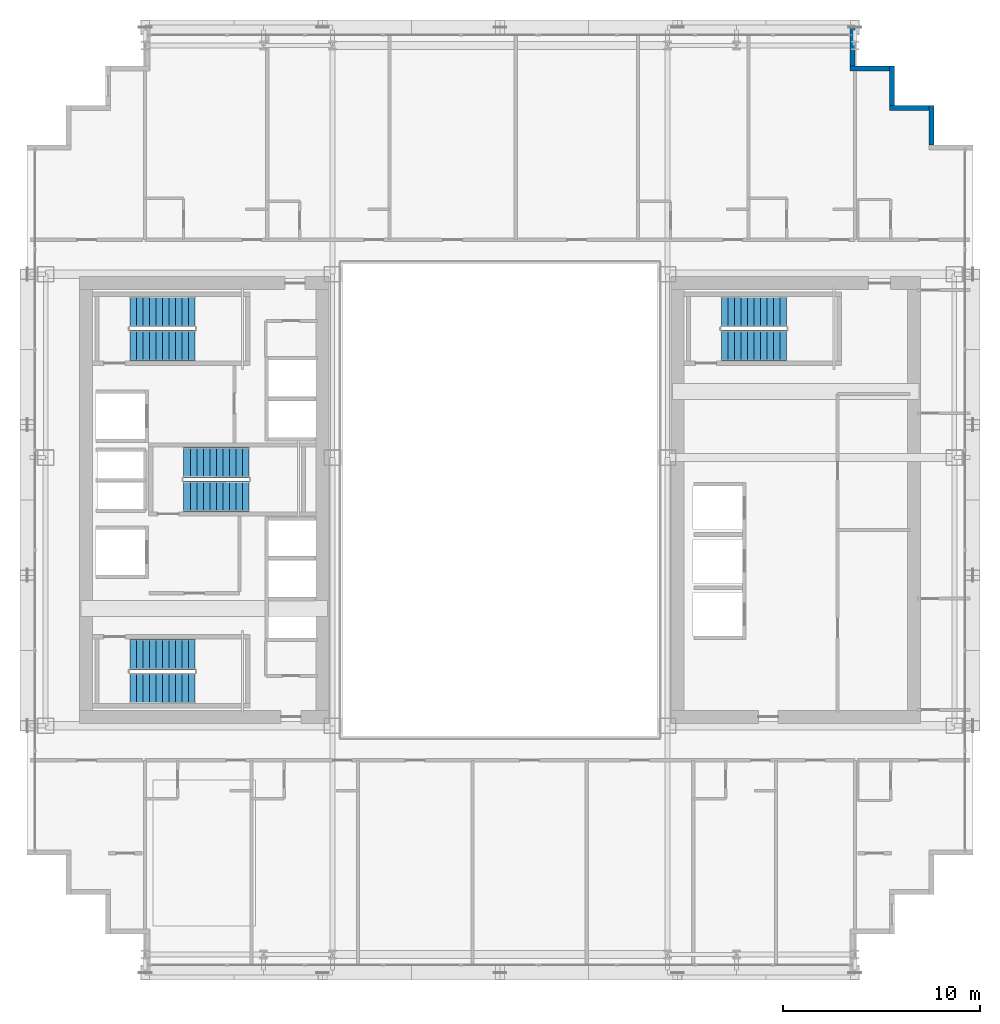
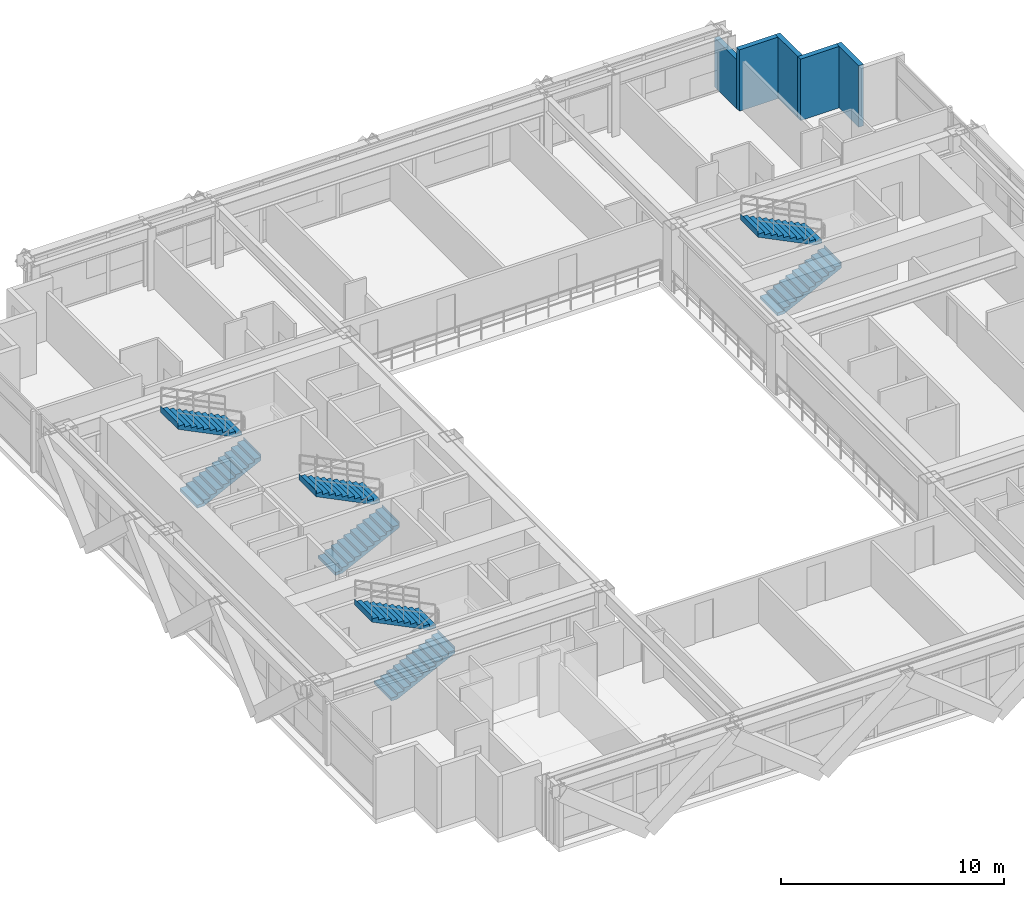
# One storey, part 31 of 35: 8 stair flights, 5 walls, 4 elements without a shape of their own.
"""IFC4 building model written with IfcOpenShell, lengths in metres."""

import ifcopenshell
import ifcopenshell.guid

model = None  # the IFC model being written
_history = None  # IfcOwnerHistory: only IFC2X3 demands one
_inside = {}  # id of a spatial element -> (the spatial element, [elements in it])
_under = {}  # id of a project, library or spatial element -> (it, [spatial elements below it])
_declared = {}  # id of a project -> (the project, [libraries it declares])
_typed = {}  # id of a type object -> (the type object, [elements of that type])
_made_of = {}  # id of a material, layer set ... -> (it, [elements and type objects made of it])


def new_model(schema):
    """Start an empty IFC model of exactly this schema.

    Asked for "IFC4X3", IfcOpenShell would pick the latest addendum, in which some entities
    have other attributes; the version numbers below select the first issue.
    IFC2X3 requires an IfcOwnerHistory on every rooted entity: one is made here for all.
    """
    global model, _history
    if schema == "IFC4X3":
        model = ifcopenshell.file(schema_version=(4, 3, 0, 0))
    else:
        model = ifcopenshell.file(schema=schema)
    _inside.clear()
    _under.clear()
    _declared.clear()
    _typed.clear()
    _made_of.clear()
    _history = None
    if model.schema == "IFC2X3":
        org = make("IfcOrganization", Name="unknown")
        user = make(
            "IfcPersonAndOrganization",
            ThePerson=make("IfcPerson", FamilyName="unknown"),
            TheOrganization=org,
        )
        app = make(
            "IfcApplication",
            ApplicationDeveloper=org,
            Version="unknown",
            ApplicationFullName="unknown",
            ApplicationIdentifier="unknown",
        )
        _history = make(
            "IfcOwnerHistory",
            OwningUser=user,
            OwningApplication=app,
            ChangeAction="ADDED",
            CreationDate=0,
        )
    return model


def make(cls, **values):
    """One entity of the class cls with the attributes given. An attribute that is None is left unset."""
    return model.create_entity(
        cls, **{name: value for name, value in values.items() if value is not None}
    )


def rooted(cls, **values):
    """An entity with a GlobalId (a new one), such as an element, a storey or a relation."""
    return make(cls, GlobalId=ifcopenshell.guid.new(), OwnerHistory=_history, **values)


def si_unit(unit_type, name, prefix=None):
    """IfcSIUnit, for example si_unit("LENGTHUNIT", "METRE", prefix="MILLI")."""
    return make("IfcSIUnit", UnitType=unit_type, Prefix=prefix, Name=name)


def assignment(units):
    """IfcUnitAssignment: the units of a project."""
    return None if units is None else make("IfcUnitAssignment", Units=units)


def point(xyz):
    """IfcCartesianPoint."""
    return None if xyz is None else make("IfcCartesianPoint", Coordinates=xyz)


def direction(xyz):
    """IfcDirection."""
    return None if xyz is None else make("IfcDirection", DirectionRatios=xyz)


def frame(location, z_axis=None, x_axis=None):
    """IfcAxis2Placement3D, a coordinate frame: its origin and axes. An axis left out is left unset."""
    return make(
        "IfcAxis2Placement3D",
        Location=point(location),
        Axis=direction(z_axis),
        RefDirection=direction(x_axis),
    )


def frame_2d(location, x_axis=None):
    """IfcAxis2Placement2D, a coordinate frame in the plane: its origin and x axis."""
    return make(
        "IfcAxis2Placement2D", Location=point(location), RefDirection=direction(x_axis)
    )


def origin():
    """The frame at (0, 0, 0) with its axes left unset."""
    return frame((0.0, 0.0, 0.0))


def place(relative_to, where):
    """IfcLocalPlacement: puts the frame where relative to a parent placement (None: the world)."""
    return make(
        "IfcLocalPlacement", PlacementRelTo=relative_to, RelativePlacement=where
    )


def context(
    kind, dimensions, precision=None, world=None, true_north=None, identifier=None
):
    """IfcGeometricRepresentationContext, for example the 3D "Model" context."""
    return make(
        "IfcGeometricRepresentationContext",
        ContextIdentifier=identifier,
        ContextType=kind,
        CoordinateSpaceDimension=dimensions,
        Precision=precision,
        WorldCoordinateSystem=world,
        TrueNorth=true_north,
    )


def subcontext(parent, identifier, kind, view, scale=None):
    """IfcGeometricRepresentationSubContext, for example "Body" below "Model"."""
    return make(
        "IfcGeometricRepresentationSubContext",
        ContextIdentifier=identifier,
        ContextType=kind,
        ParentContext=parent,
        TargetScale=scale,
        TargetView=view,
    )


def project(units=None, contexts=None):
    """IfcProject with its units and contexts."""
    return rooted(
        "IfcProject",
        Name="project",
        RepresentationContexts=contexts,
        UnitsInContext=assignment(units),
    )


def spatial(cls, under=None, at=None, **own):
    """A site, building, storey or space (cls), placed at a placement, below another one or the project."""
    s = rooted(cls, ObjectPlacement=at, **own)
    if under is not None:
        _under.setdefault(under.id(), (under, []))[1].append(s)
    return s


def polyline(points):
    """IfcPolyline through the points."""
    return make("IfcPolyline", Points=[point(p) for p in points])


def profile(cls, at=None, kind="AREA", **sizes):
    """A parametric profile (cls). Its sizes go by their IFC names, for example OverallWidth=200.0."""
    return make(cls, ProfileType=kind, Position=at, **sizes)


def rectangle(**sizes):
    """IfcRectangleProfileDef."""
    return profile("IfcRectangleProfileDef", **sizes)


def outline(outer, holes=None, kind="AREA"):
    """IfcArbitraryClosedProfileDef: a profile drawn as a closed curve; with holes, ...WithVoids."""
    if holes is None:
        return make("IfcArbitraryClosedProfileDef", ProfileType=kind, OuterCurve=outer)
    return make(
        "IfcArbitraryProfileDefWithVoids",
        ProfileType=kind,
        OuterCurve=outer,
        InnerCurves=holes,
    )


def extrude(swept, where, along, depth):
    """IfcExtrudedAreaSolid: the profile swept, set in the frame where, extruded along a direction by depth."""
    return make(
        "IfcExtrudedAreaSolid",
        SweptArea=swept,
        Position=where,
        ExtrudedDirection=direction(along),
        Depth=depth,
    )


def shape(context_of_items, identifier, shape_type, items):
    """IfcShapeRepresentation: the items that make up one representation, for example the "Body"."""
    return make(
        "IfcShapeRepresentation",
        ContextOfItems=context_of_items,
        RepresentationIdentifier=identifier,
        RepresentationType=shape_type,
        Items=items,
    )


def source(mapping_origin, context_of_items, identifier, shape_type, items):
    """IfcRepresentationMap: a shape defined once, which mapped items show again and again."""
    return make(
        "IfcRepresentationMap",
        MappingOrigin=mapping_origin,
        MappedRepresentation=shape(context_of_items, identifier, shape_type, items),
    )


def transform(
    local_origin,
    x_axis=None,
    y_axis=None,
    z_axis=None,
    scale=None,
    scale2=None,
    scale3=None,
    uniform=True,
):
    """IfcCartesianTransformationOperator3D, or its non-uniform kind. x_axis, y_axis, z_axis: its Axis1, 2, 3."""
    if uniform:
        return make(
            "IfcCartesianTransformationOperator3D",
            Axis1=direction(x_axis),
            Axis2=direction(y_axis),
            LocalOrigin=point(local_origin),
            Scale=scale,
            Axis3=direction(z_axis),
        )
    return make(
        "IfcCartesianTransformationOperator3DnonUniform",
        Axis1=direction(x_axis),
        Axis2=direction(y_axis),
        LocalOrigin=point(local_origin),
        Scale=scale,
        Axis3=direction(z_axis),
        Scale2=scale2,
        Scale3=scale3,
    )


def mapped(mapping_source, mapping_target):
    """IfcMappedItem: shows the shape of a source again, moved by a transform."""
    return make(
        "IfcMappedItem", MappingSource=mapping_source, MappingTarget=mapping_target
    )


def material(Name=None, Category=None):
    """IfcMaterial."""
    return make("IfcMaterial", Name=Name, Category=Category)


def layer(
    of_material, thickness, ventilated=None, Name=None, Category=None, Priority=None
):
    """IfcMaterialLayer: one layer of a wall or slab, of a material (None: an air gap)."""
    return make(
        "IfcMaterialLayer",
        Material=of_material,
        LayerThickness=thickness,
        IsVentilated=ventilated,
        Name=Name,
        Category=Category,
        Priority=Priority,
    )


def layer_set(layers, Name=None):
    """IfcMaterialLayerSet."""
    return make("IfcMaterialLayerSet", MaterialLayers=layers, LayerSetName=Name)


def made_of(thing, what):
    """Note that an element or type object is made of a material, layer set ...; save() writes the relation."""
    if what is not None:
        _made_of.setdefault(what.id(), (what, []))[1].append(thing)
    return thing


def type_object(cls, material=None, **own):
    """A type object (cls), such as IfcWallType, which elements share."""
    return made_of(rooted(cls, **own), material)


def element(
    cls,
    number,
    at=None,
    inside=None,
    cuts=None,
    type_object=None,
    material=None,
    context=None,
    identifier="Body",
    shape_type=None,
    held_by="IfcProductDefinitionShape",
    body=None,
    shapes=None,
    **own,
):
    """One element of the class cls, such as IfcWall. Its Tag is "e" and its number.

    at: its placement. inside: the storey or other place that contains it. cuts: it is an
    opening in that element (IfcRelVoidsElement). A single representation is given by context,
    identifier, shape_type and body (its items); several are given by shapes. held_by: the class
    of the entity that holds the representations. save() writes the other relations.
    """
    e = rooted(cls, Tag="e%d" % number, ObjectPlacement=at, **own)
    if body is not None:
        shapes = [shape(context, identifier, shape_type, body)]
    if shapes is not None:
        e.Representation = make(held_by, Representations=shapes)
    if inside is not None:
        _inside.setdefault(inside.id(), (inside, []))[1].append(e)
    if cuts is not None:
        rooted(
            "IfcRelVoidsElement", RelatingBuildingElement=cuts, RelatedOpeningElement=e
        )
    if type_object is not None:
        _typed.setdefault(type_object.id(), (type_object, []))[1].append(e)
    return made_of(e, material)


def aggregate(whole, parts):
    """IfcRelAggregates: a whole, such as a stair, and the parts it consists of."""
    return rooted("IfcRelAggregates", RelatingObject=whole, RelatedObjects=parts)


def save(model, path):
    """Write the relations noted so far, then the file.

    IfcRelAggregates (storeys below a building ...), IfcRelContainedInSpatialStructure (elements
    in a storey), IfcRelDefinesByType, IfcRelAssociatesMaterial and IfcRelDeclares: one each for
    every whole, place, type object, material and project.
    """
    for whole, parts in _under.values():
        aggregate(whole, parts)
    for where, things in _inside.values():
        rooted(
            "IfcRelContainedInSpatialStructure",
            RelatedElements=things,
            RelatingStructure=where,
        )
    for kind, things in _typed.values():
        rooted("IfcRelDefinesByType", RelatedObjects=things, RelatingType=kind)
    for what, things in _made_of.values():
        rooted("IfcRelAssociatesMaterial", RelatedObjects=things, RelatingMaterial=what)
    for by, libraries in _declared.values():
        rooted("IfcRelDeclares", RelatingContext=by, RelatedDefinitions=libraries)
    model.write(path)


model = new_model("IFC4")

# Units and contexts
model_context = context("Model", 3, precision=1e-05, world=origin(), true_north=direction((0.0, 1.0)))
body_context = subcontext(model_context, "Body", "Model", "MODEL_VIEW")
ifc_project = project(units=[si_unit("LENGTHUNIT", "METRE"), si_unit("AREAUNIT", "SQUARE_METRE"), si_unit("VOLUMEUNIT", "CUBIC_METRE"), si_unit("PLANEANGLEUNIT", "RADIAN"), si_unit("MASSUNIT", "GRAM", prefix="KILO")], contexts=[model_context])

# Site, building, storey
site_placement = place(None, origin())
site = spatial("IfcSite", under=ifc_project, at=site_placement, CompositionType="ELEMENT")
building_placement = place(site_placement, origin())
building = spatial("IfcBuilding", under=site, at=building_placement, Name="Ocotamira Hotel", CompositionType="ELEMENT")
storey_placement = place(building_placement, frame((0.0, 0.0, 122.39990234375)))
storey = spatial("IfcBuildingStorey", under=building, at=storey_placement, Name="L30", CompositionType="ELEMENT", Elevation=122.39990234375)

# Walls
ifc_material_1 = material(Name="Precast concrete C45/55", Category="concrete")
ifc_layer = layer(ifc_material_1, 0.25)
ifc_layer_set = layer_set([ifc_layer], Name="Precast concrete C45/55")
wall_type = type_object("IfcWallType", Name="WL-EXT-SER-250", PredefinedType="SOLIDWALL", material=ifc_layer_set)
for number, where, z_axis, x_axis, name in (
    (1, (53.875, 44.0, 0.0), (0.0, 0.0, 1.0), (0.0, 1.0, 0.0), "L30 Serrated Corner Wall 08"),
    (2, (53.75, 45.875, 0.0), (0.0, 0.0, 1.0), (-1.0, 0.0, 0.0), "L30 Serrated Corner Wall 09"),
    (3, (51.875, 46.0, 0.0), (0.0, 0.0, 1.0), (0.0, 1.0, 0.0), "L30 Serrated Corner Wall 10"),
    (4, (51.75, 47.875, 0.0), (0.0, 0.0, 1.0), (-1.0, 0.0, 0.0), "L30 Serrated Corner Wall 11"),
):
    element("IfcWall", number, at=place(storey_placement, frame(where, z_axis=z_axis, x_axis=x_axis)), inside=storey, type_object=wall_type, Name=name, PredefinedType="SOLIDWALL", context=body_context, shape_type="SweptSolid", body=[
        extrude(rectangle(XDim=2.0, YDim=0.25, at=frame_2d((1.0, 0.0))), origin(), (0.0, 0.0, 1.0), 3.360107421875),
    ])
wall_placement = place(storey_placement, frame((49.875, 48.0, 0.0), z_axis=(0.0, 0.0, 1.0), x_axis=(0.0, 1.0, 0.0)))
element("IfcWall", 5, at=wall_placement, inside=storey, type_object=wall_type, Name="L30 Serrated Corner Wall 12", PredefinedType="SOLIDWALL", context=body_context, shape_type="SweptSolid", body=[
    extrude(rectangle(XDim=2.0, YDim=0.25, at=frame_2d((1.0, 0.0))), origin(), (0.0, 0.0, 1.0), 2.6669921875),
])

# Stair, stair flights
ifc_material_2 = material(Name="Concrete C40/50", Category="concrete")
stair_type = type_object("IfcStairType", Name="ST-CORE-1560", PredefinedType="HALF_TURN_STAIR", material=ifc_material_2)
stair_1_placement = place(storey_placement, origin())
stair_1 = element("IfcStair", 6, at=stair_1_placement, inside=storey, type_object=stair_type, Name="L30 Exit Stair ST-1", PredefinedType="HALF_TURN_STAIR")
stair_flight_type = type_object("IfcStairFlightType", Name="STF-CORE-1560", PredefinedType="STRAIGHT", material=ifc_material_2)
shared_shape = source(origin(), body_context, "Body", "SweptSolid", [
    extrude(outline(polyline([(-0.00390625, 0.0), (-0.00390625, 0.16357421875), (0.330078125, 0.16357421875), (0.330078125, 0.327392578125), (0.659912109375, 0.327392578125), (0.659912109375, 0.490966796875), (0.989990234375, 0.490966796875), (0.989990234375, 0.654541015625), (1.320068359375, 0.654541015625), (1.320068359375, 0.818115234375), (1.64990234375, 0.818115234375), (1.64990234375, 0.98193359375), (1.97998046875, 0.98193359375), (1.97998046875, 1.1455078125), (2.31005859375, 1.1455078125), (2.31005859375, 1.30908203125), (2.639892578125, 1.30908203125), (2.639892578125, 1.47265625), (2.969970703125, 1.47265625), (2.969970703125, 1.636474609375), (3.300048828125, 1.636474609375), (3.300048828125, 1.800048828125), (3.303955078125, 1.800048828125), (3.303955078125, 1.468994140625), (0.33740234375, 0.0), (-0.00390625, 0.0)])), frame((0.0, 0.780029296875, 0.0), z_axis=(0.0, -1.0, 0.0), x_axis=(1.0, 0.0, 0.0)), (0.0, 0.0, 1.0), 1.56005859375),
])
stair_flight_1_placement = place(storey_placement, frame((13.22998046875, 16.449951171875, 0.0), z_axis=(0.0, 0.0, 1.0), x_axis=(1.0, 0.0, 0.0)))
stair_flight_1 = element("IfcStairFlight", 7, at=stair_flight_1_placement, type_object=stair_flight_type, Name="ST-1 flight 1", NumberOfRisers=11, NumberOfTreads=10, PredefinedType="STRAIGHT", RiserHeight=0.163636364, TreadLength=0.33, context=body_context, shape_type="MappedRepresentation", body=[
    mapped(shared_shape, transform((0.0, 0.0, 0.0), scale=1.0)),
])
stair_flight_2_placement = place(storey_placement, frame((16.530029296875, 18.169921875, 1.800048828125), z_axis=(0.0, 0.0, 1.0), x_axis=(-1.0, 0.0, 0.0)))
stair_flight_2 = element("IfcStairFlight", 8, at=stair_flight_2_placement, type_object=stair_flight_type, Name="ST-1 flight 2", NumberOfRisers=11, NumberOfTreads=10, PredefinedType="STRAIGHT", RiserHeight=0.163636364, TreadLength=0.33, context=body_context, shape_type="MappedRepresentation", body=[
    mapped(shared_shape, transform((0.0, 0.0, 0.0), scale=1.0)),
])
aggregate(stair_1, [stair_flight_1, stair_flight_2])

stair_2_placement = place(storey_placement, origin())
stair_2 = element("IfcStair", 9, at=stair_2_placement, inside=storey, type_object=stair_type, Name="L30 Exit Stair ST-2", PredefinedType="HALF_TURN_STAIR")
stair_flight_3_placement = place(storey_placement, frame((13.22998046875, 33.830078125, 0.0), z_axis=(0.0, 0.0, 1.0), x_axis=(1.0, 0.0, 0.0)))
stair_flight_3 = element("IfcStairFlight", 10, at=stair_flight_3_placement, type_object=stair_flight_type, Name="ST-2 flight 1", NumberOfRisers=11, NumberOfTreads=10, PredefinedType="STRAIGHT", RiserHeight=0.163636364, TreadLength=0.33, context=body_context, shape_type="MappedRepresentation", body=[
    mapped(shared_shape, transform((0.0, 0.0, 0.0), scale=1.0)),
])
stair_flight_4_placement = place(storey_placement, frame((16.530029296875, 35.550048828125, 1.800048828125), z_axis=(0.0, 0.0, 1.0), x_axis=(-1.0, 0.0, 0.0)))
stair_flight_4 = element("IfcStairFlight", 11, at=stair_flight_4_placement, type_object=stair_flight_type, Name="ST-2 flight 2", NumberOfRisers=11, NumberOfTreads=10, PredefinedType="STRAIGHT", RiserHeight=0.163636364, TreadLength=0.33, context=body_context, shape_type="MappedRepresentation", body=[
    mapped(shared_shape, transform((0.0, 0.0, 0.0), scale=1.0)),
])
aggregate(stair_2, [stair_flight_3, stair_flight_4])

stair_3_placement = place(storey_placement, origin())
stair_3 = element("IfcStair", 12, at=stair_3_placement, inside=storey, type_object=stair_type, Name="L30 Exit Stair ST-3", PredefinedType="HALF_TURN_STAIR")
stair_flight_5_placement = place(storey_placement, frame((15.9599609375, 26.179931640625, 0.0), z_axis=(0.0, 0.0, 1.0), x_axis=(1.0, 0.0, 0.0)))
stair_flight_5 = element("IfcStairFlight", 13, at=stair_flight_5_placement, type_object=stair_flight_type, Name="ST-3 flight 1", NumberOfRisers=11, NumberOfTreads=10, PredefinedType="STRAIGHT", RiserHeight=0.163636364, TreadLength=0.33, context=body_context, shape_type="MappedRepresentation", body=[
    mapped(shared_shape, transform((0.0, 0.0, 0.0), scale=1.0)),
])
stair_flight_6_placement = place(storey_placement, frame((19.260009765625, 27.89990234375, 1.800048828125), z_axis=(0.0, 0.0, 1.0), x_axis=(-1.0, 0.0, 0.0)))
stair_flight_6 = element("IfcStairFlight", 14, at=stair_flight_6_placement, type_object=stair_flight_type, Name="ST-3 flight 2", NumberOfRisers=11, NumberOfTreads=10, PredefinedType="STRAIGHT", RiserHeight=0.163636364, TreadLength=0.33, context=body_context, shape_type="MappedRepresentation", body=[
    mapped(shared_shape, transform((0.0, 0.0, 0.0), scale=1.0)),
])
aggregate(stair_3, [stair_flight_5, stair_flight_6])

stair_4_placement = place(storey_placement, origin())
stair_4 = element("IfcStair", 15, at=stair_4_placement, inside=storey, type_object=stair_type, Name="L30 Exit Stair ST-4", PredefinedType="HALF_TURN_STAIR")
stair_flight_7_placement = place(storey_placement, frame((43.22998046875, 33.830078125, 0.0), z_axis=(0.0, 0.0, 1.0), x_axis=(1.0, 0.0, 0.0)))
stair_flight_7 = element("IfcStairFlight", 16, at=stair_flight_7_placement, type_object=stair_flight_type, Name="ST-4 flight 1", NumberOfRisers=11, NumberOfTreads=10, PredefinedType="STRAIGHT", RiserHeight=0.163636364, TreadLength=0.33, context=body_context, shape_type="MappedRepresentation", body=[
    mapped(shared_shape, transform((0.0, 0.0, 0.0), scale=1.0)),
])
stair_flight_8_placement = place(storey_placement, frame((46.530029296875, 35.550048828125, 1.800048828125), z_axis=(0.0, 0.0, 1.0), x_axis=(-1.0, 0.0, 0.0)))
stair_flight_8 = element("IfcStairFlight", 17, at=stair_flight_8_placement, type_object=stair_flight_type, Name="ST-4 flight 2", NumberOfRisers=11, NumberOfTreads=10, PredefinedType="STRAIGHT", RiserHeight=0.163636364, TreadLength=0.33, context=body_context, shape_type="MappedRepresentation", body=[
    mapped(shared_shape, transform((0.0, 0.0, 0.0), scale=1.0)),
])
aggregate(stair_4, [stair_flight_7, stair_flight_8])

save(model, "model.ifc")
